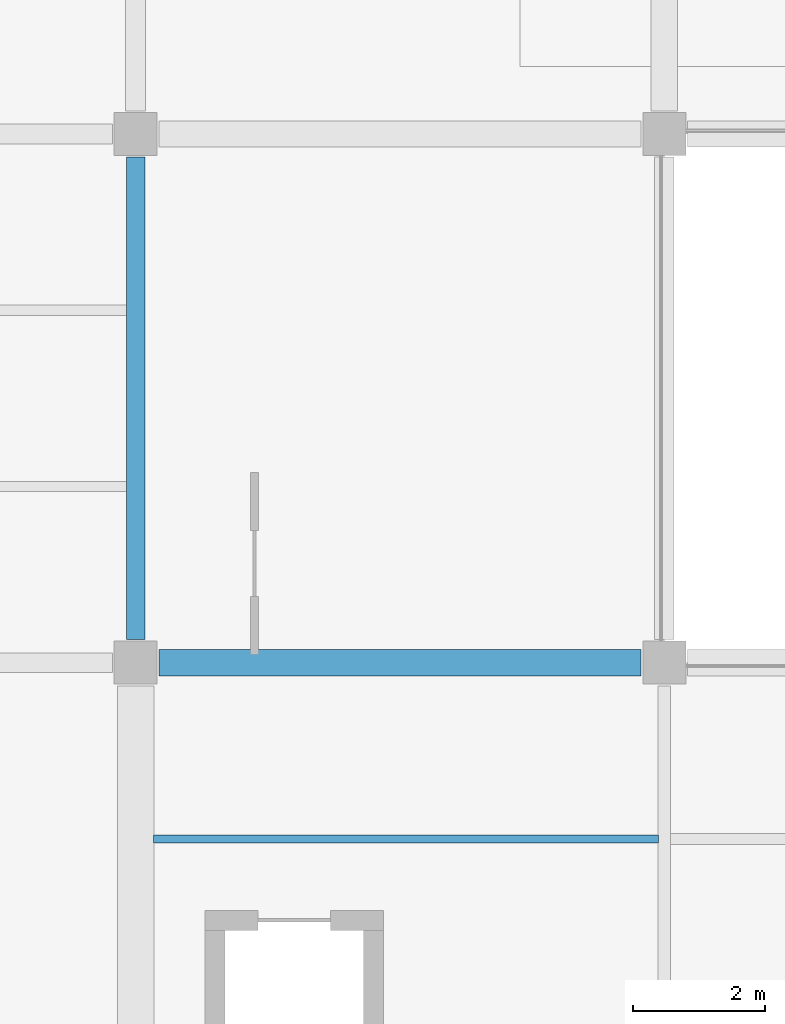
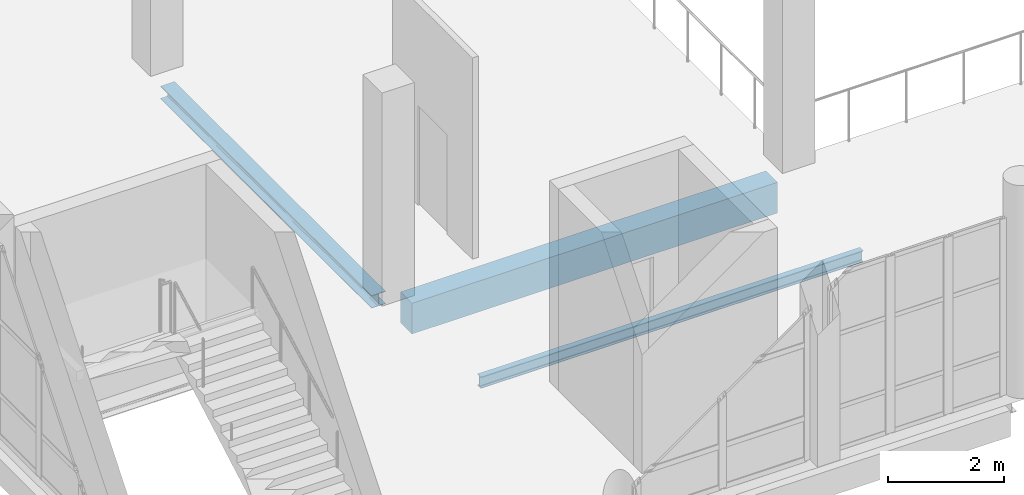
# One storey, part 15 of 183: 3 beams.
"""IFC4 building model written with IfcOpenShell, lengths in metres."""

from ifc_helpers import new_model, si_unit, direction, frame, origin, origin_2d, place, context, subcontext, project, spatial, rectangle, i_section, extrude, material, material_profile, profile_set, type_object, element, save


model = new_model("IFC4")

# Units and contexts
model_context = context("Model", 3, precision=1e-05, world=origin(), true_north=direction((0.0, 1.0)))
body_context = subcontext(model_context, "Body", "Model", "MODEL_VIEW")
ifc_project = project(units=[si_unit("LENGTHUNIT", "METRE"), si_unit("AREAUNIT", "SQUARE_METRE"), si_unit("VOLUMEUNIT", "CUBIC_METRE"), si_unit("PLANEANGLEUNIT", "RADIAN"), si_unit("MASSUNIT", "GRAM", prefix="KILO")], contexts=[model_context])

# Site, building, storey
site_placement = place(None, origin())
site = spatial("IfcSite", under=ifc_project, at=site_placement, CompositionType="ELEMENT")
building_placement = place(site_placement, origin())
building = spatial("IfcBuilding", under=site, at=building_placement, Name="Luwemba Playhouse", CompositionType="ELEMENT")
storey_placement = place(building_placement, frame((0.0, 0.0, 4.800048828125)))
storey = spatial("IfcBuildingStorey", under=building, at=storey_placement, Name="L01", CompositionType="ELEMENT", Elevation=4.800048828125)

# Beams
ifc_material_1 = material(Name="Concrete C40/50", Category="concrete")
ifc_material_profile_1 = material_profile(ifc_material_1, rectangle(XDim=0.39990234375, YDim=0.64990234375, at=origin_2d()))
ifc_profile_set_1 = profile_set([ifc_material_profile_1], Name="Concrete C40/50")
beam_type_1 = type_object("IfcBeamType", Name="BM-RB02", PredefinedType="BEAM", material=ifc_profile_set_1)
beam_1_placement = place(storey_placement, frame((12.35009765625, 11.0, -0.574951171875), z_axis=(1.0, 0.0, 0.0), x_axis=(0.0, 1.0, 0.0)))
element("IfcBeam", 1, at=beam_1_placement, inside=storey, type_object=beam_type_1, Name="L01 grid girder 0476", PredefinedType="BEAM", context=body_context, shape_type="SweptSolid", body=[
    extrude(rectangle(XDim=0.39990234375, YDim=0.64990234375, at=origin_2d()), origin(), (0.0, 0.0, 1.0), 7.2998046875),
])
ifc_material_2 = material(Name="Steel S355", Category="steel")
ifc_material_profile_2 = material_profile(ifc_material_2, i_section(OverallWidth=0.280029296875, OverallDepth=0.27001953125, WebThickness=0.008056640625, FlangeThickness=0.012939453125, FilletRadius=0.02392578125, at=origin_2d()))
ifc_profile_set_2 = profile_set([ifc_material_profile_2], Name="Steel S355")
beam_type_2 = type_object("IfcBeamType", Name="BM-SB02", PredefinedType="BEAM", material=ifc_profile_set_2)
beam_2_placement = place(storey_placement, frame((12.0, 11.35009765625, -0.385009765625), z_axis=(0.0, 1.0, 0.0), x_axis=(-1.0, 0.0, 0.0)))
element("IfcBeam", 2, at=beam_2_placement, inside=storey, type_object=beam_type_2, Name="L01 transverse girder 0500", PredefinedType="BEAM", context=body_context, shape_type="SweptSolid", body=[
    extrude(i_section(OverallWidth=0.280029296875, OverallDepth=0.27001953125, WebThickness=0.008056640625, FlangeThickness=0.012939453125, FilletRadius=0.02392578125, at=origin_2d()), origin(), (0.0, 0.0, 1.0), 7.2998046875),
])
ifc_material_profile_3 = material_profile(ifc_material_2, i_section(OverallWidth=0.1201171875, OverallDepth=0.239990234375, WebThickness=0.006103515625, FlangeThickness=0.009765625, FilletRadius=0.014892578125, at=origin_2d()))
ifc_profile_set_3 = profile_set([ifc_material_profile_3], Name="Steel S355")
beam_type_3 = type_object("IfcBeamType", Name="BM-SJ03", PredefinedType="JOIST", material=ifc_profile_set_3)
beam_3_placement = place(storey_placement, frame((12.27099609375, 8.333251953125, -0.3701171875), z_axis=(1.0, 0.0, 0.0), x_axis=(0.0, 1.0, 0.0)))
element("IfcBeam", 3, at=beam_3_placement, inside=storey, type_object=beam_type_3, Name="L01 composite floor joist 0280", PredefinedType="JOIST", context=body_context, shape_type="SweptSolid", body=[
    extrude(i_section(OverallWidth=0.1201171875, OverallDepth=0.239990234375, WebThickness=0.006103515625, FlangeThickness=0.009765625, FilletRadius=0.014892578125, at=origin_2d()), origin(), (0.0, 0.0, 1.0), 7.637939453125),
])

save(model, "model.ifc")
